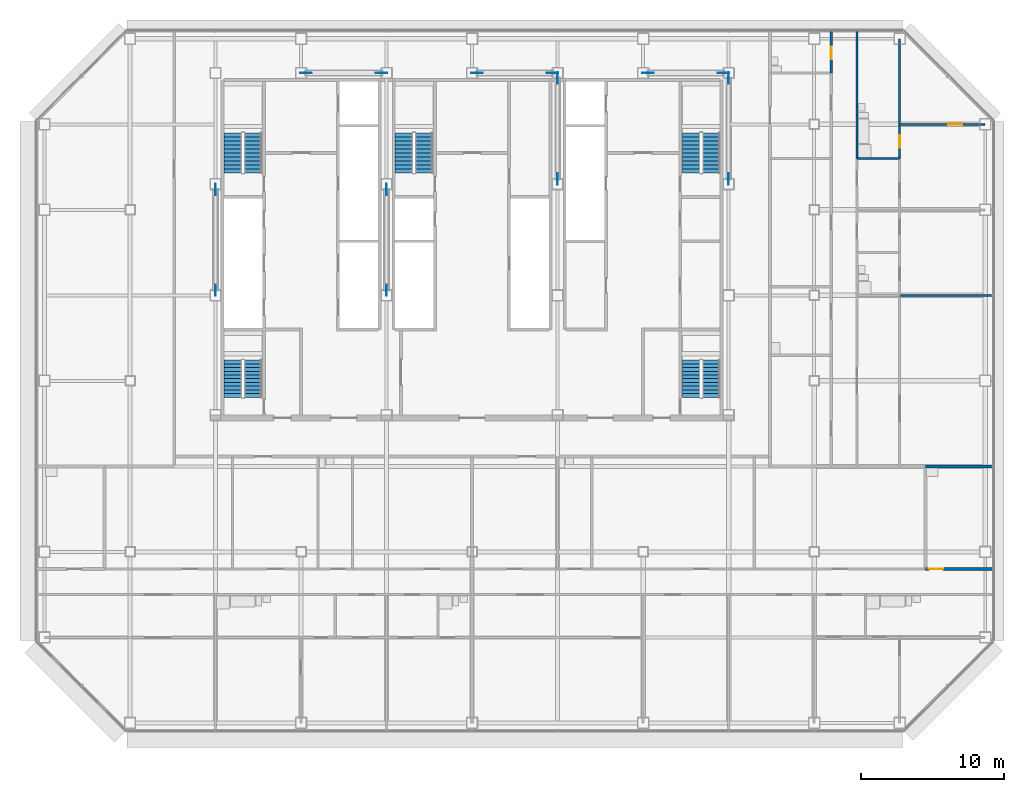
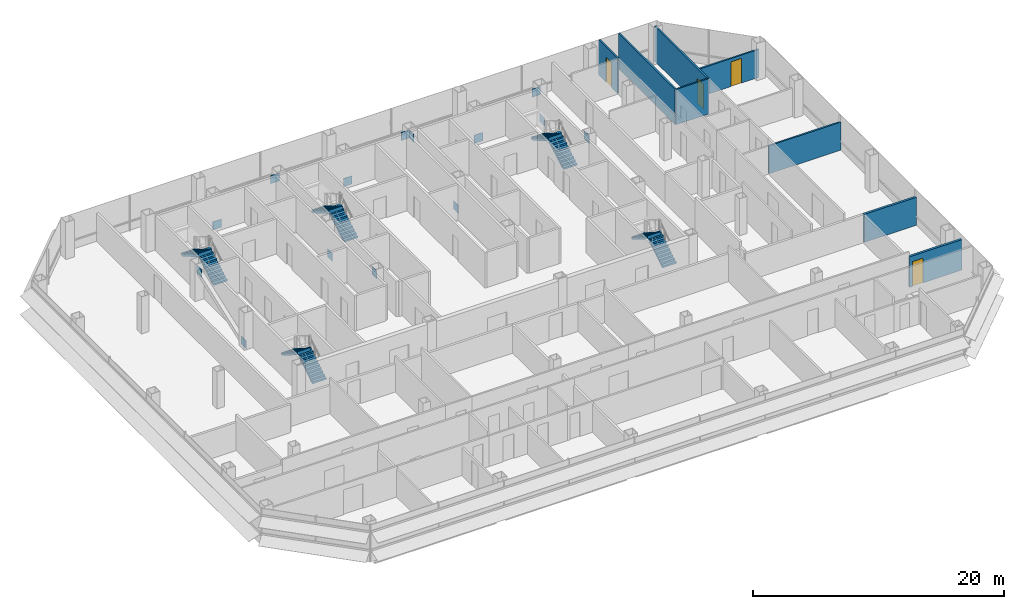
# One storey, part 23 of 25: 14 discrete accessories, 10 stair flights, 8 walls, 4 doors, 4 openings, 5 elements without a shape of their own.
"""IFC4 building model written with IfcOpenShell, lengths in metres."""

from ifc_helpers import new_model, si_unit, direction, frame, frame_2d, origin, origin_2d, place, context, subcontext, project, spatial, polyline, rectangle, outline, extrude, material, layer, layer_set, type_object, element, fill, aggregate, save


model = new_model("IFC4")

# Units and contexts
model_context = context("Model", 3, precision=1e-05, world=origin(), true_north=direction((0.0, 1.0)))
body_context = subcontext(model_context, "Body", "Model", "MODEL_VIEW")
ifc_project = project(units=[si_unit("LENGTHUNIT", "METRE"), si_unit("AREAUNIT", "SQUARE_METRE"), si_unit("VOLUMEUNIT", "CUBIC_METRE"), si_unit("PLANEANGLEUNIT", "RADIAN"), si_unit("MASSUNIT", "GRAM", prefix="KILO")], contexts=[model_context])

# Site, building, storey
site_placement = place(None, origin())
site = spatial("IfcSite", under=ifc_project, at=site_placement, CompositionType="ELEMENT")
building_placement = place(site_placement, origin())
building = spatial("IfcBuilding", under=site, at=building_placement, Name="Sorahane Residences", CompositionType="ELEMENT")
storey_placement = place(building_placement, frame((0.0, 0.0, 143.800048828125)))
storey = spatial("IfcBuildingStorey", under=building, at=storey_placement, Name="L32", CompositionType="ELEMENT", Elevation=143.800048828125)

# Wall, opening, door
ifc_material_1 = material(Name="Concrete blockwork C20 wall", Category="masonry")
ifc_layer_1 = layer(ifc_material_1, 0.199951171875)
ifc_layer_set_1 = layer_set([ifc_layer_1], Name="Kitchen wall 200 EI 180")
wall_type_1 = type_object("IfcWallType", Name="Kitchen wall 200 EI 180", PredefinedType="SOLIDWALL", material=ifc_layer_set_1)
wall_1_placement = place(storey_placement, frame((55.800048828125, 10.800048828125, 0.0), z_axis=(0.0, 0.0, 1.0), x_axis=(1.0, 0.0, 0.0)))
wall_1 = element("IfcWall", 1, at=wall_1_placement, inside=storey, type_object=wall_type_1, Name="L32 kitchen wall", PredefinedType="SOLIDWALL", context=body_context, shape_type="SweptSolid", body=[
    extrude(rectangle(XDim=4.800048828125, YDim=0.199951171875, at=frame_2d((2.39990234375, 0.0))), origin(), (0.0, 0.0, 1.0), 2.969970703125),
])
opening_1_placement = place(wall_1_placement, frame((0.25, 0.0, 0.0)))
opening_1 = element("IfcOpeningElement", 2, at=opening_1_placement, cuts=wall_1, Name="Opening L32-19", PredefinedType="OPENING", context=body_context, shape_type="SweptSolid", body=[
    extrude(rectangle(XDim=1.0, YDim=2.39990234375, at=frame_2d((0.5, 1.199951171875))), frame((0.0, 0.10986328125, 0.0), z_axis=(0.0, -1.0, 0.0), x_axis=(1.0, 0.0, 0.0)), (0.0, 0.0, 1.0), 0.219970703125),
])
ifc_material_2 = material(Name="Steel", Category="steel")
door_type_1 = type_object("IfcDoorType", Name="Kitchen door 1000x2400 FD120", OperationType="NOTDEFINED", PredefinedType="DOOR", material=ifc_material_2)
door_1_placement = place(opening_1_placement, origin())
door_1 = element("IfcDoor", 3, at=door_1_placement, inside=storey, type_object=door_type_1, Name="Kitchen door L32-19", OperationType="SINGLE_SWING_RIGHT", OverallHeight=2.39990234375, OverallWidth=1.0, PredefinedType="DOOR", context=body_context, shape_type="SweptSolid", body=[
    extrude(rectangle(XDim=1.0, YDim=2.39990234375, at=frame_2d((0.5, 1.199951171875))), frame((0.0, 0.02490234375, 0.0), z_axis=(0.0, -1.0, 0.0), x_axis=(1.0, 0.0, 0.0)), (0.0, 0.0, 1.0), 0.050048828125),
])
fill(opening_1, door_1)

# Walls
wall_2_placement = place(storey_placement, frame((55.800048828125, 18.0, 0.0), z_axis=(0.0, 0.0, 1.0), x_axis=(1.0, 0.0, 0.0)))
element("IfcWall", 4, at=wall_2_placement, inside=storey, type_object=wall_type_1, Name="L32 kitchen wall", PredefinedType="SOLIDWALL", context=body_context, shape_type="SweptSolid", body=[
    extrude(rectangle(XDim=4.800048828125, YDim=0.199951171875, at=frame_2d((2.39990234375, 0.0))), origin(), (0.0, 0.0, 1.0), 2.719970703125),
])
ifc_material_3 = material(Name="Gypsum board partition on steel studs", Category="steel")
ifc_layer_2 = layer(ifc_material_3, 0.14990234375)
ifc_layer_set_2 = layer_set([ifc_layer_2], Name="Partition 150 EI 90")
wall_type_2 = type_object("IfcWallType", Name="Partition 150 EI 90", PredefinedType="PARTITIONING", material=ifc_layer_set_2)
wall_3_placement = place(storey_placement, frame((54.0, 30.0, 0.0), z_axis=(0.0, 0.0, 1.0), x_axis=(1.0, 0.0, 0.0)))
element("IfcWall", 5, at=wall_3_placement, inside=storey, type_object=wall_type_2, Name="L32 partition", PredefinedType="PARTITIONING", context=body_context, shape_type="SweptSolid", body=[
    extrude(rectangle(XDim=6.60009765625, YDim=0.14990234375, at=frame_2d((3.300048828125, 0.0))), origin(), (0.0, 0.0, 1.0), 2.719970703125),
])

# Wall, opening, door
wall_4_placement = place(storey_placement, frame((54.0, 42.0, 0.0), z_axis=(0.0, 0.0, 1.0), x_axis=(1.0, 0.0, 0.0)))
wall_4 = element("IfcWall", 6, at=wall_4_placement, inside=storey, type_object=wall_type_2, Name="L32 partition", PredefinedType="PARTITIONING", context=body_context, shape_type="SweptSolid", body=[
    extrude(rectangle(XDim=6.0, YDim=0.14990234375, at=frame_2d((3.0, 0.0))), origin(), (0.0, 0.0, 1.0), 2.719970703125),
])
opening_2_placement = place(wall_4_placement, frame((3.39990234375, 0.0, 0.0)))
opening_2 = element("IfcOpeningElement", 7, at=opening_2_placement, cuts=wall_4, Name="Opening L32-40", PredefinedType="OPENING", context=body_context, shape_type="SweptSolid", body=[
    extrude(rectangle(XDim=1.0, YDim=2.39990234375, at=frame_2d((0.5, 1.199951171875))), frame((0.0, 0.0849609375, 0.0), z_axis=(0.0, -1.0, 0.0), x_axis=(1.0, 0.0, 0.0)), (0.0, 0.0, 1.0), 0.169921875),
])
ifc_material_4 = material(Name="Timber veneered fire door", Category="wood")
door_type_2 = type_object("IfcDoorType", Name="Room door 1000x2400 FD30", OperationType="NOTDEFINED", PredefinedType="DOOR", material=ifc_material_4)
door_2_placement = place(opening_2_placement, origin())
door_2 = element("IfcDoor", 8, at=door_2_placement, inside=storey, type_object=door_type_2, Name="Room door L32-40", OperationType="SINGLE_SWING_LEFT", OverallHeight=2.39990234375, OverallWidth=1.0, PredefinedType="DOOR", context=body_context, shape_type="SweptSolid", body=[
    extrude(rectangle(XDim=1.0, YDim=2.39990234375, at=frame_2d((0.5, 1.199951171875))), frame((0.0, 0.02490234375, 0.0), z_axis=(0.0, -1.0, 0.0), x_axis=(1.0, 0.0, 0.0)), (0.0, 0.0, 1.0), 0.050048828125),
])
fill(opening_2, door_2)

ifc_material_5 = material(Name="Gypsum board partition on steel studs", Category="steel")
ifc_layer_3 = layer(ifc_material_5, 0.14990234375)
ifc_layer_set_3 = layer_set([ifc_layer_3], Name="Wet wall 150 EI 90")
wall_type_3 = type_object("IfcWallType", Name="Wet wall 150 EI 90", PredefinedType="PARTITIONING", material=ifc_layer_set_3)
wall_5_placement = place(storey_placement, frame((49.199951171875, 45.60009765625, 0.0), z_axis=(0.0, 0.0, 1.0), x_axis=(0.0, 1.0, 0.0)))
wall_5 = element("IfcWall", 9, at=wall_5_placement, inside=storey, type_object=wall_type_3, Name="L32 wet wall", PredefinedType="PARTITIONING", context=body_context, shape_type="SweptSolid", body=[
    extrude(rectangle(XDim=3.0, YDim=0.14990234375, at=frame_2d((1.5, 0.0))), origin(), (0.0, 0.0, 1.0), 3.419921875),
])
opening_3_placement = place(wall_5_placement, frame((0.949951171875, 0.0, 0.0)))
opening_3 = element("IfcOpeningElement", 10, at=opening_3_placement, cuts=wall_5, Name="Opening L32-32", PredefinedType="OPENING", context=body_context, shape_type="SweptSolid", body=[
    extrude(rectangle(XDim=0.89990234375, YDim=2.39990234375, at=frame_2d((0.449951171875, 1.199951171875))), frame((0.0, 0.0849609375, 0.0), z_axis=(0.0, -1.0, 0.0), x_axis=(1.0, 0.0, 0.0)), (0.0, 0.0, 1.0), 0.169921875),
])
ifc_material_6 = material(Name="Timber veneered fire door", Category="wood")
door_type_3 = type_object("IfcDoorType", Name="Bathroom door 900x2400 FD30", OperationType="NOTDEFINED", PredefinedType="DOOR", material=ifc_material_6)
door_3_placement = place(opening_3_placement, frame((0.89990234375, 0.0, 0.0), z_axis=(0.0, 0.0, 1.0), x_axis=(-1.0, 0.0, 0.0)))
door_3 = element("IfcDoor", 11, at=door_3_placement, inside=storey, type_object=door_type_3, Name="Bathroom door L32-32", OperationType="SINGLE_SWING_LEFT", OverallHeight=2.39990234375, OverallWidth=0.89990234375, PredefinedType="DOOR", context=body_context, shape_type="SweptSolid", body=[
    extrude(rectangle(XDim=0.89990234375, YDim=2.39990234375, at=frame_2d((0.449951171875, 1.199951171875))), frame((0.0, 0.02490234375, 0.0), z_axis=(0.0, -1.0, 0.0), x_axis=(1.0, 0.0, 0.0)), (0.0, 0.0, 1.0), 0.050048828125),
])
fill(opening_3, door_3)

# Wall
wall_6_placement = place(storey_placement, frame((51.0, 39.60009765625, 0.0), z_axis=(0.0, 0.0, 1.0), x_axis=(0.0, 1.0, 0.0)))
element("IfcWall", 12, at=wall_6_placement, inside=storey, type_object=wall_type_3, Name="L32 wet wall", PredefinedType="PARTITIONING", context=body_context, shape_type="SweptSolid", body=[
    extrude(rectangle(XDim=9.0, YDim=0.14990234375, at=frame_2d((4.5, 0.0))), origin(), (0.0, 0.0, 1.0), 3.419921875),
])

# Wall, opening, door
wall_7_placement = place(storey_placement, frame((54.0, 39.60009765625, 0.0), z_axis=(0.0, 0.0, 1.0), x_axis=(0.0, 1.0, 0.0)))
wall_7 = element("IfcWall", 13, at=wall_7_placement, inside=storey, type_object=wall_type_3, Name="L32 wet wall", PredefinedType="PARTITIONING", context=body_context, shape_type="SweptSolid", body=[
    extrude(rectangle(XDim=8.39990234375, YDim=0.14990234375, at=frame_2d((4.199951171875, 0.0))), origin(), (0.0, 0.0, 1.0), 3.419921875),
])
opening_4_placement = place(wall_7_placement, frame((0.75, 0.0, 0.0)))
opening_4 = element("IfcOpeningElement", 14, at=opening_4_placement, cuts=wall_7, Name="Opening L32-41", PredefinedType="OPENING", context=body_context, shape_type="SweptSolid", body=[
    extrude(rectangle(XDim=0.89990234375, YDim=2.39990234375, at=frame_2d((0.449951171875, 1.199951171875))), frame((0.0, 0.0849609375, 0.0), z_axis=(0.0, -1.0, 0.0), x_axis=(1.0, 0.0, 0.0)), (0.0, 0.0, 1.0), 0.169921875),
])
door_4_placement = place(opening_4_placement, frame((0.89990234375, 0.0, 0.0), z_axis=(0.0, 0.0, 1.0), x_axis=(-1.0, 0.0, 0.0)))
door_4 = element("IfcDoor", 15, at=door_4_placement, inside=storey, type_object=door_type_3, Name="Bathroom door L32-41", OperationType="SINGLE_SWING_RIGHT", OverallHeight=2.39990234375, OverallWidth=0.89990234375, PredefinedType="DOOR", context=body_context, shape_type="SweptSolid", body=[
    extrude(rectangle(XDim=0.89990234375, YDim=2.39990234375, at=frame_2d((0.449951171875, 1.199951171875))), frame((0.0, 0.02490234375, 0.0), z_axis=(0.0, -1.0, 0.0), x_axis=(1.0, 0.0, 0.0)), (0.0, 0.0, 1.0), 0.050048828125),
])
fill(opening_4, door_4)

# Wall
wall_8_placement = place(storey_placement, frame((51.0, 39.60009765625, 0.0), z_axis=(0.0, 0.0, 1.0), x_axis=(1.0, 0.0, 0.0)))
element("IfcWall", 16, at=wall_8_placement, inside=storey, type_object=wall_type_3, Name="L32 wet wall", PredefinedType="PARTITIONING", context=body_context, shape_type="SweptSolid", body=[
    extrude(rectangle(XDim=3.0, YDim=0.14990234375, at=frame_2d((1.5, 0.0))), origin(), (0.0, 0.0, 1.0), 3.419921875),
])

# Stair, stair flights
ifc_material_7 = material(Name="Concrete C40", Category="concrete")
stair_type = type_object("IfcStairType", Name="Dog-leg stair 1250 Concrete C40", PredefinedType="HALF_TURN_STAIR", material=ifc_material_7)
stair_1_placement = place(storey_placement, origin())
stair_1 = element("IfcStair", 17, at=stair_1_placement, inside=storey, type_object=stair_type, Name="L32 Stair S1", PredefinedType="HALF_TURN_STAIR")
ifc_material_8 = material(Name="Concrete C40", Category="concrete")
stair_flight_type = type_object("IfcStairFlightType", Name="Stair flight 1250 Concrete C40", PredefinedType="STRAIGHT", material=ifc_material_8)
stair_flight_1_placement = place(storey_placement, frame((8.625, 38.60009765625, 0.0), z_axis=(0.0, 0.0, 1.0), x_axis=(0.0, 1.0, 0.0)))
stair_flight_1 = element("IfcStairFlight", 18, at=stair_flight_1_placement, type_object=stair_flight_type, Name="S1 flight 1", NumberOfRisers=11, NumberOfTreads=10, PredefinedType="STRAIGHT", RiserHeight=0.163636364, TreadLength=0.28, context=body_context, shape_type="SweptSolid", body=[
    extrude(outline(polyline([(-0.00146484375, 0.0), (-0.00146484375, 0.16357421875), (0.0, 0.16357421875), (0.280029296875, 0.16357421875), (0.280029296875, 0.327392578125), (0.56005859375, 0.327392578125), (0.56005859375, 0.490966796875), (0.840087890625, 0.490966796875), (0.840087890625, 0.654541015625), (1.1201171875, 0.654541015625), (1.1201171875, 0.818115234375), (1.39990234375, 0.818115234375), (1.39990234375, 0.98193359375), (1.679931640625, 0.98193359375), (1.679931640625, 1.1455078125), (1.9599609375, 1.1455078125), (1.9599609375, 1.30908203125), (2.239990234375, 1.30908203125), (2.239990234375, 1.47265625), (2.52001953125, 1.47265625), (2.52001953125, 1.636474609375), (2.800048828125, 1.636474609375), (2.800048828125, 1.800048828125), (2.800048828125, 1.462646484375), (2.59130859375, 1.3408203125), (2.3828125, 1.218994140625), (2.17431640625, 1.09716796875), (1.965576171875, 0.97509765625), (1.757080078125, 0.853271484375), (1.548583984375, 0.7314453125), (1.340087890625, 0.609375), (1.13134765625, 0.487548828125), (0.9228515625, 0.36572265625), (0.71435546875, 0.243896484375), (0.505615234375, 0.121826171875), (0.297119140625, 0.0), (-0.00146484375, 0.0)])), frame((0.0, 0.625, 0.0), z_axis=(0.0, -1.0, 0.0), x_axis=(1.0, 0.0, 0.0)), (0.0, 0.0, 1.0), 1.25),
])
stair_flight_2_placement = place(storey_placement, frame((7.22509765625, 41.39990234375, 1.800048828125), z_axis=(0.0, 0.0, 1.0), x_axis=(0.0, -1.0, 0.0)))
stair_flight_2 = element("IfcStairFlight", 19, at=stair_flight_2_placement, type_object=stair_flight_type, Name="S1 flight 2", NumberOfRisers=11, NumberOfTreads=10, PredefinedType="STRAIGHT", RiserHeight=0.163636364, TreadLength=0.28, context=body_context, shape_type="SweptSolid", body=[
    extrude(outline(polyline([(0.0, 0.0), (0.0, 0.16357421875), (0.280029296875, 0.16357421875), (0.280029296875, 0.327392578125), (0.56005859375, 0.327392578125), (0.56005859375, 0.490966796875), (0.840087890625, 0.490966796875), (0.840087890625, 0.654541015625), (1.1201171875, 0.654541015625), (1.1201171875, 0.818115234375), (1.39990234375, 0.818115234375), (1.39990234375, 0.98193359375), (1.679931640625, 0.98193359375), (1.679931640625, 1.1455078125), (1.9599609375, 1.1455078125), (1.9599609375, 1.30908203125), (2.239990234375, 1.30908203125), (2.239990234375, 1.47265625), (2.52001953125, 1.47265625), (2.52001953125, 1.636474609375), (2.800048828125, 1.636474609375), (2.800048828125, 1.800048828125), (2.801513671875, 1.800048828125), (2.801513671875, 1.462646484375), (2.5927734375, 1.3408203125), (2.384033203125, 1.218994140625), (2.17529296875, 1.09716796875), (1.966796875, 0.97509765625), (1.758056640625, 0.853271484375), (1.54931640625, 0.7314453125), (1.340576171875, 0.609375), (1.1318359375, 0.487548828125), (0.923095703125, 0.36572265625), (0.714599609375, 0.243896484375), (0.505859375, 0.121826171875), (0.297119140625, 0.0), (0.0, 0.0)])), frame((0.0, 0.625, 0.0), z_axis=(0.0, -1.0, 0.0), x_axis=(1.0, 0.0, 0.0)), (0.0, 0.0, 1.0), 1.25),
])
aggregate(stair_1, [stair_flight_1, stair_flight_2])

stair_2_placement = place(storey_placement, origin())
stair_2 = element("IfcStair", 20, at=stair_2_placement, inside=storey, type_object=stair_type, Name="L32 Stair S2", PredefinedType="HALF_TURN_STAIR")
stair_flight_3_placement = place(storey_placement, frame((40.77490234375, 38.60009765625, 0.0), z_axis=(0.0, 0.0, 1.0), x_axis=(0.0, 1.0, 0.0)))
stair_flight_3 = element("IfcStairFlight", 21, at=stair_flight_3_placement, type_object=stair_flight_type, Name="S2 flight 1", NumberOfRisers=11, NumberOfTreads=10, PredefinedType="STRAIGHT", RiserHeight=0.163636364, TreadLength=0.28, context=body_context, shape_type="SweptSolid", body=[
    extrude(outline(polyline([(-0.00146484375, 0.0), (-0.00146484375, 0.16357421875), (0.0, 0.16357421875), (0.280029296875, 0.16357421875), (0.280029296875, 0.327392578125), (0.56005859375, 0.327392578125), (0.56005859375, 0.490966796875), (0.840087890625, 0.490966796875), (0.840087890625, 0.654541015625), (1.1201171875, 0.654541015625), (1.1201171875, 0.818115234375), (1.39990234375, 0.818115234375), (1.39990234375, 0.98193359375), (1.679931640625, 0.98193359375), (1.679931640625, 1.1455078125), (1.9599609375, 1.1455078125), (1.9599609375, 1.30908203125), (2.239990234375, 1.30908203125), (2.239990234375, 1.47265625), (2.52001953125, 1.47265625), (2.52001953125, 1.636474609375), (2.800048828125, 1.636474609375), (2.800048828125, 1.800048828125), (2.800048828125, 1.462646484375), (2.59130859375, 1.3408203125), (2.3828125, 1.218994140625), (2.17431640625, 1.09716796875), (1.965576171875, 0.97509765625), (1.757080078125, 0.853271484375), (1.548583984375, 0.7314453125), (1.340087890625, 0.609375), (1.13134765625, 0.487548828125), (0.9228515625, 0.36572265625), (0.71435546875, 0.243896484375), (0.505615234375, 0.121826171875), (0.297119140625, 0.0), (-0.00146484375, 0.0)])), frame((0.0, 0.625, 0.0), z_axis=(0.0, -1.0, 0.0), x_axis=(1.0, 0.0, 0.0)), (0.0, 0.0, 1.0), 1.25),
])
stair_flight_4_placement = place(storey_placement, frame((39.375, 41.39990234375, 1.800048828125), z_axis=(0.0, 0.0, 1.0), x_axis=(0.0, -1.0, 0.0)))
stair_flight_4 = element("IfcStairFlight", 22, at=stair_flight_4_placement, type_object=stair_flight_type, Name="S2 flight 2", NumberOfRisers=11, NumberOfTreads=10, PredefinedType="STRAIGHT", RiserHeight=0.163636364, TreadLength=0.28, context=body_context, shape_type="SweptSolid", body=[
    extrude(outline(polyline([(0.0, 0.0), (0.0, 0.16357421875), (0.280029296875, 0.16357421875), (0.280029296875, 0.327392578125), (0.56005859375, 0.327392578125), (0.56005859375, 0.490966796875), (0.840087890625, 0.490966796875), (0.840087890625, 0.654541015625), (1.1201171875, 0.654541015625), (1.1201171875, 0.818115234375), (1.39990234375, 0.818115234375), (1.39990234375, 0.98193359375), (1.679931640625, 0.98193359375), (1.679931640625, 1.1455078125), (1.9599609375, 1.1455078125), (1.9599609375, 1.30908203125), (2.239990234375, 1.30908203125), (2.239990234375, 1.47265625), (2.52001953125, 1.47265625), (2.52001953125, 1.636474609375), (2.800048828125, 1.636474609375), (2.800048828125, 1.800048828125), (2.801513671875, 1.800048828125), (2.801513671875, 1.462646484375), (2.5927734375, 1.3408203125), (2.384033203125, 1.218994140625), (2.17529296875, 1.09716796875), (1.966796875, 0.97509765625), (1.758056640625, 0.853271484375), (1.54931640625, 0.7314453125), (1.340576171875, 0.609375), (1.1318359375, 0.487548828125), (0.923095703125, 0.36572265625), (0.714599609375, 0.243896484375), (0.505859375, 0.121826171875), (0.297119140625, 0.0), (0.0, 0.0)])), frame((0.0, 0.625, 0.0), z_axis=(0.0, -1.0, 0.0), x_axis=(1.0, 0.0, 0.0)), (0.0, 0.0, 1.0), 1.25),
])
aggregate(stair_2, [stair_flight_3, stair_flight_4])

stair_3_placement = place(storey_placement, origin())
stair_3 = element("IfcStair", 23, at=stair_3_placement, inside=storey, type_object=stair_type, Name="L32 Stair S3", PredefinedType="HALF_TURN_STAIR")
stair_flight_5_placement = place(storey_placement, frame((20.625, 38.60009765625, 0.0), z_axis=(0.0, 0.0, 1.0), x_axis=(0.0, 1.0, 0.0)))
stair_flight_5 = element("IfcStairFlight", 24, at=stair_flight_5_placement, type_object=stair_flight_type, Name="S3 flight 1", NumberOfRisers=11, NumberOfTreads=10, PredefinedType="STRAIGHT", RiserHeight=0.163636364, TreadLength=0.28, context=body_context, shape_type="SweptSolid", body=[
    extrude(outline(polyline([(-0.00146484375, 0.0), (-0.00146484375, 0.16357421875), (0.0, 0.16357421875), (0.280029296875, 0.16357421875), (0.280029296875, 0.327392578125), (0.56005859375, 0.327392578125), (0.56005859375, 0.490966796875), (0.840087890625, 0.490966796875), (0.840087890625, 0.654541015625), (1.1201171875, 0.654541015625), (1.1201171875, 0.818115234375), (1.39990234375, 0.818115234375), (1.39990234375, 0.98193359375), (1.679931640625, 0.98193359375), (1.679931640625, 1.1455078125), (1.9599609375, 1.1455078125), (1.9599609375, 1.30908203125), (2.239990234375, 1.30908203125), (2.239990234375, 1.47265625), (2.52001953125, 1.47265625), (2.52001953125, 1.636474609375), (2.800048828125, 1.636474609375), (2.800048828125, 1.800048828125), (2.800048828125, 1.462646484375), (2.59130859375, 1.3408203125), (2.3828125, 1.218994140625), (2.17431640625, 1.09716796875), (1.965576171875, 0.97509765625), (1.757080078125, 0.853271484375), (1.548583984375, 0.7314453125), (1.340087890625, 0.609375), (1.13134765625, 0.487548828125), (0.9228515625, 0.36572265625), (0.71435546875, 0.243896484375), (0.505615234375, 0.121826171875), (0.297119140625, 0.0), (-0.00146484375, 0.0)])), frame((0.0, 0.625, 0.0), z_axis=(0.0, -1.0, 0.0), x_axis=(1.0, 0.0, 0.0)), (0.0, 0.0, 1.0), 1.25),
])
stair_flight_6_placement = place(storey_placement, frame((19.22509765625, 41.39990234375, 1.800048828125), z_axis=(0.0, 0.0, 1.0), x_axis=(0.0, -1.0, 0.0)))
stair_flight_6 = element("IfcStairFlight", 25, at=stair_flight_6_placement, type_object=stair_flight_type, Name="S3 flight 2", NumberOfRisers=11, NumberOfTreads=10, PredefinedType="STRAIGHT", RiserHeight=0.163636364, TreadLength=0.28, context=body_context, shape_type="SweptSolid", body=[
    extrude(outline(polyline([(0.0, 0.0), (0.0, 0.16357421875), (0.280029296875, 0.16357421875), (0.280029296875, 0.327392578125), (0.56005859375, 0.327392578125), (0.56005859375, 0.490966796875), (0.840087890625, 0.490966796875), (0.840087890625, 0.654541015625), (1.1201171875, 0.654541015625), (1.1201171875, 0.818115234375), (1.39990234375, 0.818115234375), (1.39990234375, 0.98193359375), (1.679931640625, 0.98193359375), (1.679931640625, 1.1455078125), (1.9599609375, 1.1455078125), (1.9599609375, 1.30908203125), (2.239990234375, 1.30908203125), (2.239990234375, 1.47265625), (2.52001953125, 1.47265625), (2.52001953125, 1.636474609375), (2.800048828125, 1.636474609375), (2.800048828125, 1.800048828125), (2.801513671875, 1.800048828125), (2.801513671875, 1.462646484375), (2.5927734375, 1.3408203125), (2.384033203125, 1.218994140625), (2.17529296875, 1.09716796875), (1.966796875, 0.97509765625), (1.758056640625, 0.853271484375), (1.54931640625, 0.7314453125), (1.340576171875, 0.609375), (1.1318359375, 0.487548828125), (0.923095703125, 0.36572265625), (0.714599609375, 0.243896484375), (0.505859375, 0.121826171875), (0.297119140625, 0.0), (0.0, 0.0)])), frame((0.0, 0.625, 0.0), z_axis=(0.0, -1.0, 0.0), x_axis=(1.0, 0.0, 0.0)), (0.0, 0.0, 1.0), 1.25),
])
aggregate(stair_3, [stair_flight_5, stair_flight_6])

stair_4_placement = place(storey_placement, origin())
stair_4 = element("IfcStair", 26, at=stair_4_placement, inside=storey, type_object=stair_type, Name="L32 Stair S4", PredefinedType="HALF_TURN_STAIR")
stair_flight_7_placement = place(storey_placement, frame((8.625, 22.85009765625, 0.0), z_axis=(0.0, 0.0, 1.0), x_axis=(0.0, 1.0, 0.0)))
stair_flight_7 = element("IfcStairFlight", 27, at=stair_flight_7_placement, type_object=stair_flight_type, Name="S4 flight 1", NumberOfRisers=11, NumberOfTreads=10, PredefinedType="STRAIGHT", RiserHeight=0.163636364, TreadLength=0.26, context=body_context, shape_type="SweptSolid", body=[
    extrude(outline(polyline([(-0.00146484375, 0.0), (-0.00146484375, 0.16357421875), (0.0, 0.16357421875), (0.260009765625, 0.16357421875), (0.260009765625, 0.327392578125), (0.52001953125, 0.327392578125), (0.52001953125, 0.490966796875), (0.780029296875, 0.490966796875), (0.780029296875, 0.654541015625), (1.0400390625, 0.654541015625), (1.0400390625, 0.818115234375), (1.300048828125, 0.818115234375), (1.300048828125, 0.98193359375), (1.56005859375, 0.98193359375), (1.56005859375, 1.1455078125), (1.820068359375, 1.1455078125), (1.820068359375, 1.30908203125), (2.080078125, 1.30908203125), (2.080078125, 1.47265625), (2.340087890625, 1.47265625), (2.340087890625, 1.636474609375), (2.60009765625, 1.636474609375), (2.60009765625, 1.800048828125), (2.60009765625, 1.494384765625), (2.402099609375, 1.369873046875), (2.204345703125, 1.245361328125), (2.00634765625, 1.120849609375), (1.80859375, 0.996337890625), (1.610595703125, 0.871826171875), (1.412841796875, 0.747314453125), (1.21484375, 0.622802734375), (1.01708984375, 0.498046875), (0.819091796875, 0.37353515625), (0.621337890625, 0.2490234375), (0.42333984375, 0.12451171875), (0.2255859375, 0.0), (-0.00146484375, 0.0)])), frame((0.0, 0.625, 0.0), z_axis=(0.0, -1.0, 0.0), x_axis=(1.0, 0.0, 0.0)), (0.0, 0.0, 1.0), 1.25),
])
stair_flight_8_placement = place(storey_placement, frame((7.22509765625, 25.449951171875, 1.800048828125), z_axis=(0.0, 0.0, 1.0), x_axis=(0.0, -1.0, 0.0)))
stair_flight_8 = element("IfcStairFlight", 28, at=stair_flight_8_placement, type_object=stair_flight_type, Name="S4 flight 2", NumberOfRisers=11, NumberOfTreads=10, PredefinedType="STRAIGHT", RiserHeight=0.163636364, TreadLength=0.26, context=body_context, shape_type="SweptSolid", body=[
    extrude(outline(polyline([(0.0, 0.0), (0.0, 0.16357421875), (0.260009765625, 0.16357421875), (0.260009765625, 0.327392578125), (0.52001953125, 0.327392578125), (0.52001953125, 0.490966796875), (0.780029296875, 0.490966796875), (0.780029296875, 0.654541015625), (1.0400390625, 0.654541015625), (1.0400390625, 0.818115234375), (1.300048828125, 0.818115234375), (1.300048828125, 0.98193359375), (1.56005859375, 0.98193359375), (1.56005859375, 1.1455078125), (1.820068359375, 1.1455078125), (1.820068359375, 1.30908203125), (2.080078125, 1.30908203125), (2.080078125, 1.47265625), (2.340087890625, 1.47265625), (2.340087890625, 1.636474609375), (2.60009765625, 1.636474609375), (2.60009765625, 1.800048828125), (2.6015625, 1.800048828125), (2.6015625, 1.494384765625), (2.403564453125, 1.369873046875), (2.20556640625, 1.245361328125), (2.007568359375, 1.120849609375), (1.8095703125, 0.996337890625), (1.611572265625, 0.871826171875), (1.41357421875, 0.747314453125), (1.215576171875, 0.622802734375), (1.017578125, 0.498046875), (0.819580078125, 0.37353515625), (0.62158203125, 0.2490234375), (0.423583984375, 0.12451171875), (0.2255859375, 0.0), (0.0, 0.0)])), frame((0.0, 0.625, 0.0), z_axis=(0.0, -1.0, 0.0), x_axis=(1.0, 0.0, 0.0)), (0.0, 0.0, 1.0), 1.25),
])
aggregate(stair_4, [stair_flight_7, stair_flight_8])

stair_5_placement = place(storey_placement, origin())
stair_5 = element("IfcStair", 29, at=stair_5_placement, inside=storey, type_object=stair_type, Name="L32 Stair S5", PredefinedType="HALF_TURN_STAIR")
stair_flight_9_placement = place(storey_placement, frame((40.77490234375, 22.85009765625, 0.0), z_axis=(0.0, 0.0, 1.0), x_axis=(0.0, 1.0, 0.0)))
stair_flight_9 = element("IfcStairFlight", 30, at=stair_flight_9_placement, type_object=stair_flight_type, Name="S5 flight 1", NumberOfRisers=11, NumberOfTreads=10, PredefinedType="STRAIGHT", RiserHeight=0.163636364, TreadLength=0.26, context=body_context, shape_type="SweptSolid", body=[
    extrude(outline(polyline([(-0.00146484375, 0.0), (-0.00146484375, 0.16357421875), (0.0, 0.16357421875), (0.260009765625, 0.16357421875), (0.260009765625, 0.327392578125), (0.52001953125, 0.327392578125), (0.52001953125, 0.490966796875), (0.780029296875, 0.490966796875), (0.780029296875, 0.654541015625), (1.0400390625, 0.654541015625), (1.0400390625, 0.818115234375), (1.300048828125, 0.818115234375), (1.300048828125, 0.98193359375), (1.56005859375, 0.98193359375), (1.56005859375, 1.1455078125), (1.820068359375, 1.1455078125), (1.820068359375, 1.30908203125), (2.080078125, 1.30908203125), (2.080078125, 1.47265625), (2.340087890625, 1.47265625), (2.340087890625, 1.636474609375), (2.60009765625, 1.636474609375), (2.60009765625, 1.800048828125), (2.60009765625, 1.494384765625), (2.402099609375, 1.369873046875), (2.204345703125, 1.245361328125), (2.00634765625, 1.120849609375), (1.80859375, 0.996337890625), (1.610595703125, 0.871826171875), (1.412841796875, 0.747314453125), (1.21484375, 0.622802734375), (1.01708984375, 0.498046875), (0.819091796875, 0.37353515625), (0.621337890625, 0.2490234375), (0.42333984375, 0.12451171875), (0.2255859375, 0.0), (-0.00146484375, 0.0)])), frame((0.0, 0.625, 0.0), z_axis=(0.0, -1.0, 0.0), x_axis=(1.0, 0.0, 0.0)), (0.0, 0.0, 1.0), 1.25),
])
stair_flight_10_placement = place(storey_placement, frame((39.375, 25.449951171875, 1.800048828125), z_axis=(0.0, 0.0, 1.0), x_axis=(0.0, -1.0, 0.0)))
stair_flight_10 = element("IfcStairFlight", 31, at=stair_flight_10_placement, type_object=stair_flight_type, Name="S5 flight 2", NumberOfRisers=11, NumberOfTreads=10, PredefinedType="STRAIGHT", RiserHeight=0.163636364, TreadLength=0.26, context=body_context, shape_type="SweptSolid", body=[
    extrude(outline(polyline([(0.0, 0.0), (0.0, 0.16357421875), (0.260009765625, 0.16357421875), (0.260009765625, 0.327392578125), (0.52001953125, 0.327392578125), (0.52001953125, 0.490966796875), (0.780029296875, 0.490966796875), (0.780029296875, 0.654541015625), (1.0400390625, 0.654541015625), (1.0400390625, 0.818115234375), (1.300048828125, 0.818115234375), (1.300048828125, 0.98193359375), (1.56005859375, 0.98193359375), (1.56005859375, 1.1455078125), (1.820068359375, 1.1455078125), (1.820068359375, 1.30908203125), (2.080078125, 1.30908203125), (2.080078125, 1.47265625), (2.340087890625, 1.47265625), (2.340087890625, 1.636474609375), (2.60009765625, 1.636474609375), (2.60009765625, 1.800048828125), (2.6015625, 1.800048828125), (2.6015625, 1.494384765625), (2.403564453125, 1.369873046875), (2.20556640625, 1.245361328125), (2.007568359375, 1.120849609375), (1.8095703125, 0.996337890625), (1.611572265625, 0.871826171875), (1.41357421875, 0.747314453125), (1.215576171875, 0.622802734375), (1.017578125, 0.498046875), (0.819580078125, 0.37353515625), (0.62158203125, 0.2490234375), (0.423583984375, 0.12451171875), (0.2255859375, 0.0), (0.0, 0.0)])), frame((0.0, 0.625, 0.0), z_axis=(0.0, -1.0, 0.0), x_axis=(1.0, 0.0, 0.0)), (0.0, 0.0, 1.0), 1.25),
])
aggregate(stair_5, [stair_flight_9, stair_flight_10])

# Discrete accessories
ifc_material_9 = material(Name="Steel Q355B", Category="steel")
ifc_layer_4 = layer(ifc_material_9, 0.02490234375)
ifc_layer_set_4 = layer_set([ifc_layer_4], Name="Node plate Steel Q355B 25")
discrete_accessory_type = type_object("IfcDiscreteAccessoryType", Name="Node plate Steel Q355B 25", PredefinedType="BRACKET", material=ifc_layer_set_4)
for number, where, z_axis, x_axis, name in (
    (32, (6.0, 30.358642578125, -0.21533203125), (0.0, 0.0, 1.0), (0.0, 1.0, 0.0), "Node plate L32 br"),
    (33, (6.0, 37.44140625, 2.38525390625), (0.0, 0.0, 1.0), (0.0, 1.0, 0.0), "Node plate L32 br"),
    (34, (18.0, 37.44140625, -0.21533203125), (0.0, 0.0, 1.0), (0.0, 1.0, 0.0), "Node plate L32 br"),
    (35, (18.0, 30.358642578125, 2.38525390625), (0.0, 0.0, 1.0), (0.0, 1.0, 0.0), "Node plate L32 br"),
    (36, (30.0, 38.15869140625, -0.21533203125), (0.0, 0.0, 1.0), (0.0, 1.0, 0.0), "Node plate L32 br"),
    (37, (30.0, 45.241455078125, 2.38525390625), (0.0, 0.0, 1.0), (0.0, 1.0, 0.0), "Node plate L32 br"),
    (38, (42.0, 45.241455078125, -0.21533203125), (0.0, 0.0, 1.0), (0.0, 1.0, 0.0), "Node plate L32 br"),
    (39, (42.0, 38.15869140625, 2.38525390625), (0.0, 0.0, 1.0), (0.0, 1.0, 0.0), "Node plate L32 br"),
    (40, (12.3466796875, 45.60009765625, -0.2265625), (0.0, 0.0, 1.0), (1.0, 0.0, 0.0), "Node plate L32 br"),
    (41, (24.3466796875, 45.60009765625, -0.2265625), (0.0, 0.0, 1.0), (1.0, 0.0, 0.0), "Node plate L32 br"),
    (42, (36.3466796875, 45.60009765625, -0.2265625), (0.0, 0.0, 1.0), (1.0, 0.0, 0.0), "Node plate L32 br"),
    (43, (17.6533203125, 45.60009765625, 2.39599609375), (0.0, 0.0, 1.0), (1.0, 0.0, 0.0), "Node plate L32 br"),
    (44, (29.6533203125, 45.60009765625, 2.39599609375), (0.0, 0.0, 1.0), (1.0, 0.0, 0.0), "Node plate L32 br"),
    (45, (41.6533203125, 45.60009765625, 2.39599609375), (0.0, 0.0, 1.0), (1.0, 0.0, 0.0), "Node plate L32 br"),
):
    element("IfcDiscreteAccessory", number, at=place(storey_placement, frame(where, z_axis=z_axis, x_axis=x_axis)), inside=storey, type_object=discrete_accessory_type, Name=name, PredefinedType="BRACKET", context=body_context, shape_type="SweptSolid", body=[
        extrude(rectangle(XDim=0.800048828125, YDim=0.02490234375, at=origin_2d()), origin(), (0.0, 0.0, 1.0), 0.800048828125),
    ])

save(model, "model.ifc")
